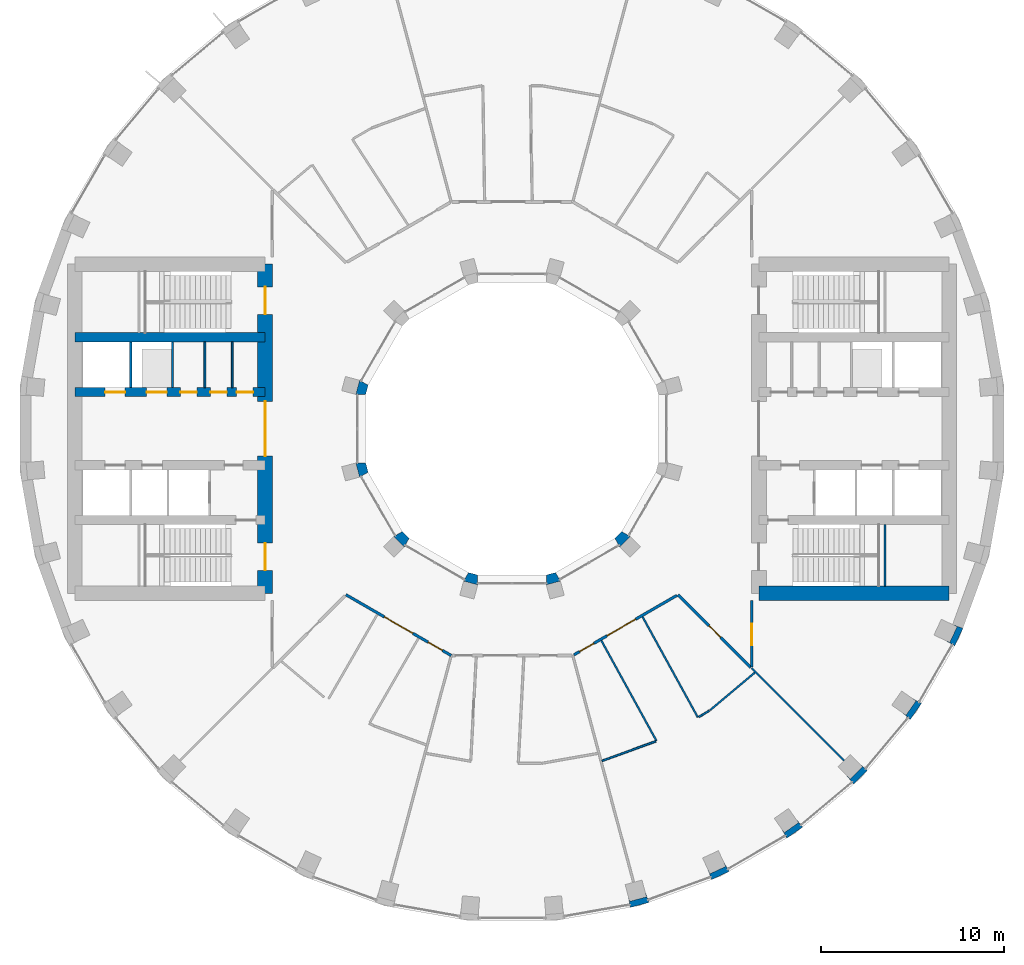
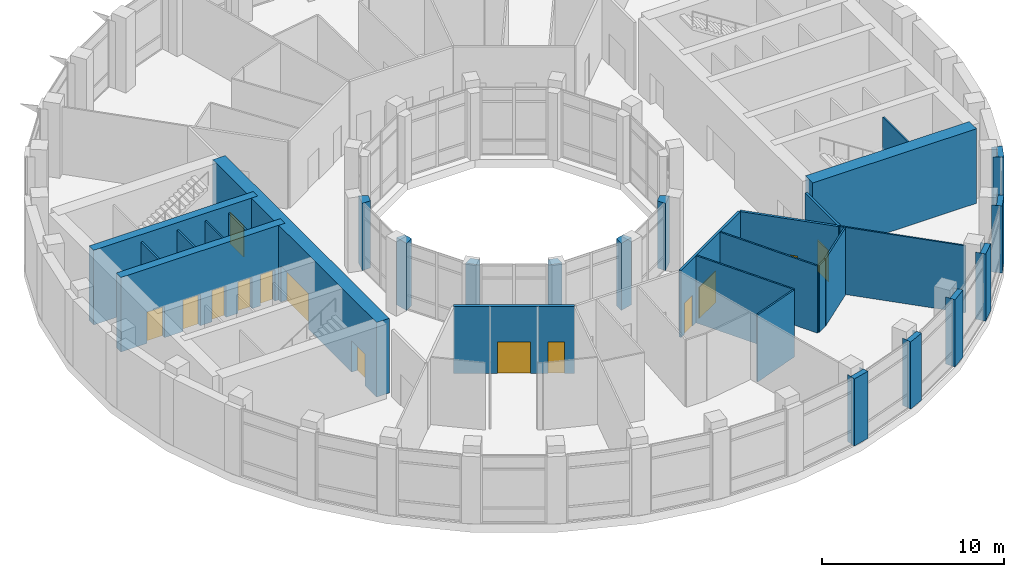
# One storey, part 13 of 18: 31 walls, 14 doors, 14 openings.
"""IFC4 building model written with IfcOpenShell, lengths in metres."""

from ifc_helpers import new_model, si_unit, direction, frame, frame_2d, origin, place, context, subcontext, project, spatial, polyline, rectangle, outline, extrude, material, layer, layer_set, type_object, element, fill, save


model = new_model("IFC4")

# Units and contexts
model_context = context("Model", 3, precision=1e-05, world=origin(), true_north=direction((0.0, 1.0)))
body_context = subcontext(model_context, "Body", "Model", "MODEL_VIEW")
ifc_project = project(units=[si_unit("LENGTHUNIT", "METRE"), si_unit("AREAUNIT", "SQUARE_METRE"), si_unit("VOLUMEUNIT", "CUBIC_METRE"), si_unit("PLANEANGLEUNIT", "RADIAN"), si_unit("MASSUNIT", "GRAM", prefix="KILO")], contexts=[model_context])

# Site, building, storey
site_placement = place(None, origin())
site = spatial("IfcSite", under=ifc_project, at=site_placement, CompositionType="ELEMENT")
building_placement = place(site_placement, origin())
building = spatial("IfcBuilding", under=site, at=building_placement, Name="Saqina Gate Tower", CompositionType="ELEMENT")
storey_placement = place(building_placement, frame((0.0, 0.0, 86.89990234375)))
storey = spatial("IfcBuildingStorey", under=building, at=storey_placement, Name="L24", CompositionType="ELEMENT", Elevation=86.89990234375)

# Walls
ifc_material_1 = material(Name="Brick masonry (buff)", Category="masonry")
wall_type_1 = type_object("IfcWallType", Name="BRICK PIER COPING BUFF", PredefinedType="SOLIDWALL", material=ifc_material_1)
wall_1_placement = place(storey_placement, origin())
element("IfcWall", 1, at=wall_1_placement, inside=storey, type_object=wall_type_1, Name="Pier cap L24 column 29", PredefinedType="SOLIDWALL", context=body_context, shape_type="SweptSolid", body=[
    extrude(outline(polyline([(6.466796875, -26.171875), (7.485595703125, -25.89892578125), (7.2802734375, -25.335205078125), (7.349853515625, -25.5947265625), (6.43212890625, -25.8408203125), (6.36279296875, -25.5810546875), (6.466796875, -26.171875)])), origin(), (0.0, 0.0, 1.0), 4.5),
])
wall_2_placement = place(storey_placement, origin())
element("IfcWall", 2, at=wall_2_placement, inside=storey, type_object=wall_type_1, Name="Pier cap L24 column 30", PredefinedType="SOLIDWALL", context=body_context, shape_type="SweptSolid", body=[
    extrude(outline(polyline([(10.913330078125, -24.6513671875), (11.869140625, -24.205810546875), (11.569091796875, -23.68603515625), (11.6826171875, -23.9296875), (10.82177734375, -24.331298828125), (10.7080078125, -24.08740234375), (10.913330078125, -24.6513671875)])), origin(), (0.0, 0.0, 1.0), 4.5),
])
wall_3_placement = place(storey_placement, origin())
element("IfcWall", 3, at=wall_3_placement, inside=storey, type_object=wall_type_1, Name="Pier cap L24 column 31", PredefinedType="SOLIDWALL", context=body_context, shape_type="SweptSolid", body=[
    extrude(outline(polyline([(15.89208984375, -21.77685546875), (15.50634765625, -21.317138671875), (15.66064453125, -21.53759765625), (14.88232421875, -22.08251953125), (14.728271484375, -21.862060546875), (15.0283203125, -22.3818359375), (15.89208984375, -21.77685546875)])), origin(), (0.0, 0.0, 1.0), 4.5),
])
wall_4_placement = place(storey_placement, origin())
element("IfcWall", 4, at=wall_4_placement, inside=storey, type_object=wall_type_1, Name="Pier cap L24 column 32", PredefinedType="SOLIDWALL", context=body_context, shape_type="SweptSolid", body=[
    extrude(outline(polyline([(18.686279296875, -19.43212890625), (19.43212890625, -18.686279296875), (18.972412109375, -18.30078125), (19.16259765625, -18.49072265625), (18.49072265625, -19.16259765625), (18.30078125, -18.972412109375), (18.686279296875, -19.43212890625)])), origin(), (0.0, 0.0, 1.0), 4.5),
])
wall_5_placement = place(storey_placement, origin())
element("IfcWall", 5, at=wall_5_placement, inside=storey, type_object=wall_type_1, Name="Pier cap L24 column 33", PredefinedType="SOLIDWALL", context=body_context, shape_type="SweptSolid", body=[
    extrude(outline(polyline([(22.3818359375, -15.0283203125), (21.862060546875, -14.728271484375), (22.08251953125, -14.88232421875), (21.53759765625, -15.66064453125), (21.317138671875, -15.50634765625), (21.77685546875, -15.89208984375), (22.3818359375, -15.0283203125)])), origin(), (0.0, 0.0, 1.0), 4.5),
])
wall_6_placement = place(storey_placement, origin())
element("IfcWall", 6, at=wall_6_placement, inside=storey, type_object=wall_type_1, Name="Pier cap L24 column 34", PredefinedType="SOLIDWALL", context=body_context, shape_type="SweptSolid", body=[
    extrude(outline(polyline([(24.6513671875, -10.913330078125), (24.08740234375, -10.7080078125), (24.331298828125, -10.82177734375), (23.9296875, -11.6826171875), (23.68603515625, -11.569091796875), (24.205810546875, -11.869140625), (24.6513671875, -10.913330078125)])), origin(), (0.0, 0.0, 1.0), 4.5),
])
ifc_material_2 = material(Name="Gypsum board on steel studs", Category="steel")
ifc_layer_1 = layer(ifc_material_2, 0.10009765625)
ifc_layer_set_1 = layer_set([ifc_layer_1], Name="CORE PARTITION")
wall_type_2 = type_object("IfcWallType", Name="CORE PARTITION", PredefinedType="PARTITIONING", material=ifc_layer_set_1)
for number, where, z_axis, x_axis, name in (
    (7, (-15.298095703125, 2.25, 0.0), (0.0, 0.0, 1.0), (0.0, 1.0, 0.0), "L24-CP-W01"),
    (8, (-16.789306640625, 2.25, 0.0), (0.0, 0.0, 1.0), (0.0, 1.0, 0.0), "L24-CP-W02"),
):
    element("IfcWall", number, at=place(storey_placement, frame(where, z_axis=z_axis, x_axis=x_axis)), inside=storey, type_object=wall_type_2, Name=name, PredefinedType="PARTITIONING", context=body_context, shape_type="SweptSolid", body=[
        extrude(rectangle(XDim=2.5, YDim=0.10009765625, at=frame_2d((1.25, 0.0))), origin(), (0.0, 0.0, 1.0), 4.5),
    ])
ifc_material_3 = material(Name="Autoclaved aerated concrete block", Category="concrete")
ifc_layer_2 = layer(ifc_material_3, 0.1201171875)
ifc_layer_set_2 = layer_set([ifc_layer_2], Name="SHAFT PARTITION")
wall_type_3 = type_object("IfcWallType", Name="SHAFT PARTITION", PredefinedType="PARTITIONING", material=ifc_layer_set_2)
for number, where, z_axis, x_axis, name in (
    (9, (-18.56005859375, 2.25, 0.0), (0.0, 0.0, 1.0), (0.0, 1.0, 0.0), "L24-CP-W03"),
    (10, (-20.840087890625, 2.25, 0.0), (0.0, 0.0, 1.0), (0.0, 1.0, 0.0), "L24-CP-W04"),
):
    element("IfcWall", number, at=place(storey_placement, frame(where, z_axis=z_axis, x_axis=x_axis)), inside=storey, type_object=wall_type_3, Name=name, PredefinedType="PARTITIONING", context=body_context, shape_type="SweptSolid", body=[
        extrude(rectangle(XDim=2.5, YDim=0.1201171875, at=frame_2d((1.25, 0.0))), origin(), (0.0, 0.0, 1.0), 4.5),
    ])
ifc_material_4 = material(Name="Gypsum board on steel studs, 100 mm", Category="steel")
ifc_layer_3 = layer(ifc_material_4, 0.10009765625)
ifc_layer_set_3 = layer_set([ifc_layer_3], Name="SPECIAL PARTITION 100")
wall_type_4 = type_object("IfcWallType", Name="SPECIAL PARTITION 100", PredefinedType="PARTITIONING", material=ifc_layer_set_3)
wall_7_placement = place(storey_placement, frame((4.885009765625, -11.584716796875, 0.0), z_axis=(0.0, 0.0, 1.0), x_axis=(0.481793071414, -0.876285020035, 0.0)))
element("IfcWall", 11, at=wall_7_placement, inside=storey, type_object=wall_type_4, Name="PARTITION 005", PredefinedType="PARTITIONING", context=body_context, shape_type="SweptSolid", body=[
    extrude(rectangle(XDim=6.26416015625, YDim=0.10009765625, at=frame_2d((3.132080078125, 0.0))), origin(), (0.0, 0.0, 1.0), 4.5),
])
wall_8_placement = place(storey_placement, frame((7.13720703125, -10.28369140625, 0.0), z_axis=(0.0, 0.0, 1.0), x_axis=(0.481752941383, -0.876307082859, 0.0)))
element("IfcWall", 12, at=wall_8_placement, inside=storey, type_object=wall_type_4, Name="PARTITION 006", PredefinedType="PARTITIONING", context=body_context, shape_type="SweptSolid", body=[
    extrude(rectangle(XDim=6.2744140625, YDim=0.10009765625, at=frame_2d((3.13720703125, 0.0))), origin(), (0.0, 0.0, 1.0), 4.5),
])
wall_9_placement = place(storey_placement, frame((13.10009765625, -13.10009765625, 0.0), z_axis=(0.0, 0.0, 1.0), x_axis=(0.707106781187, -0.707106781187, 0.0)))
element("IfcWall", 13, at=wall_9_placement, inside=storey, type_object=wall_type_4, Name="PARTITION 010", PredefinedType="PARTITIONING", context=body_context, shape_type="SweptSolid", body=[
    extrude(rectangle(XDim=7.138671875, YDim=0.10009765625, at=frame_2d((3.5693359375, 0.0))), origin(), (0.0, 0.0, 1.0), 4.5),
])
wall_10_placement = place(storey_placement, frame((4.91796875, -18.160888671875, 0.0), z_axis=(0.0, 0.0, 1.0), x_axis=(0.93964286716, 0.342156809365, 0.0)))
element("IfcWall", 14, at=wall_10_placement, inside=storey, type_object=wall_type_4, Name="PARTITION 029", PredefinedType="PARTITIONING", context=body_context, shape_type="SweptSolid", body=[
    extrude(rectangle(XDim=3.126708984375, YDim=0.10009765625, at=frame_2d((1.5634765625, 0.0))), origin(), (0.0, 0.0, 1.0), 4.5),
])
wall_11_placement = place(storey_placement, frame((10.203369140625, -15.757080078125, 0.0), z_axis=(0.0, 0.0, 1.0), x_axis=(0.865964989499, 0.500104626015, 0.0)))
element("IfcWall", 15, at=wall_11_placement, inside=storey, type_object=wall_type_4, Name="PARTITION 031", PredefinedType="PARTITIONING", context=body_context, shape_type="SweptSolid", body=[
    extrude(rectangle(XDim=0.681884765625, YDim=0.10009765625, at=frame_2d((0.3408203125, 0.0))), origin(), (0.0, 0.0, 1.0), 4.5),
])
wall_12_placement = place(storey_placement, frame((10.832275390625, -15.3837890625, 0.0), z_axis=(0.0, 0.0, 1.0), x_axis=(0.766014747924, 0.642822997381, 0.0)))
element("IfcWall", 16, at=wall_12_placement, inside=storey, type_object=wall_type_4, Name="PARTITION 035", PredefinedType="PARTITIONING", context=body_context, shape_type="SweptSolid", body=[
    extrude(rectangle(XDim=3.1806640625, YDim=0.10009765625, at=frame_2d((1.59033203125, 0.0))), origin(), (0.0, 0.0, 1.0), 4.5),
])

# Wall, opening, door
ifc_material_5 = material(Name="Gypsum board on steel studs, 150 mm, fire rated", Category="steel")
ifc_layer_4 = layer(ifc_material_5, 0.14990234375)
ifc_layer_set_4 = layer_set([ifc_layer_4], Name="SPECIAL PARTITION EI 30 150")
wall_type_5 = type_object("IfcWallType", Name="SPECIAL PARTITION EI 30 150", PredefinedType="PARTITIONING", material=ifc_layer_set_4)
wall_13_placement = place(storey_placement, frame((9.076904296875, -9.076904296875, 0.0), z_axis=(0.0, 0.0, 1.0), x_axis=(0.707106781187, -0.707106781187, 0.0)))
wall_13 = element("IfcWall", 17, at=wall_13_placement, inside=storey, type_object=wall_type_5, Name="PARTITION 012", PredefinedType="PARTITIONING", context=body_context, shape_type="SweptSolid", body=[
    extrude(rectangle(XDim=5.61962890625, YDim=0.14990234375, at=frame_2d((2.809814453125, 0.0))), origin(), (0.0, 0.0, 1.0), 4.5),
])
opening_1_placement = place(wall_13_placement, frame((2.396484375, 0.0, 0.0)))
opening_1 = element("IfcOpeningElement", 18, at=opening_1_placement, cuts=wall_13, Name="Opening L24-D23", PredefinedType="OPENING", context=body_context, shape_type="SweptSolid", body=[
    extrude(rectangle(XDim=0.89990234375, YDim=2.10009765625, at=frame_2d((0.449951171875, 1.050048828125))), frame((0.0, 0.0869140625, 0.0), z_axis=(0.0, -1.0, 0.0), x_axis=(1.0, 0.0, 0.0)), (0.0, 0.0, 1.0), 0.173828125),
])
ifc_material_6 = material(Name="Steel-framed fire door leaf, EI 30", Category="steel")
door_type_1 = type_object("IfcDoorType", Name="SPECIAL DOOR 900 FIRE EI 30", OperationType="SINGLE_SWING_LEFT", PredefinedType="DOOR", material=ifc_material_6)
door_1_placement = place(opening_1_placement, frame((0.89990234375, 0.0, 0.0), z_axis=(0.0, 0.0, 1.0), x_axis=(-1.0, 0.0, 0.0)))
door_1 = element("IfcDoor", 19, at=door_1_placement, inside=storey, type_object=door_type_1, Name="DOOR L24-D23", OperationType="SINGLE_SWING_LEFT", OverallHeight=2.10009765625, OverallWidth=0.89990234375, PredefinedType="DOOR", context=body_context, shape_type="SweptSolid", body=[
    extrude(rectangle(XDim=0.89990234375, YDim=2.10009765625, at=frame_2d((0.449951171875, 1.050048828125))), frame((0.0, 0.02490234375, 0.0), z_axis=(0.0, -1.0, 0.0), x_axis=(1.0, 0.0, 0.0)), (0.0, 0.0, 1.0), 0.050048828125),
])
fill(opening_1, door_1)

# Wall, openings, doors
wall_14_placement = place(storey_placement, frame((-9.076904296875, -9.076904296875, 0.0), z_axis=(0.0, 0.0, 1.0), x_axis=(0.865961614908, -0.500110469302, 0.0)))
wall_14 = element("IfcWall", 20, at=wall_14_placement, inside=storey, type_object=wall_type_5, Name="PARTITION 016", PredefinedType="PARTITIONING", context=body_context, shape_type="SweptSolid", body=[
    extrude(rectangle(XDim=6.64453125, YDim=0.14990234375, at=frame_2d((3.322265625, 0.0))), origin(), (0.0, 0.0, 1.0), 4.5),
])
opening_2_placement = place(wall_14_placement, frame((2.42236328125, 0.0, 0.0)))
opening_2 = element("IfcOpeningElement", 21, at=opening_2_placement, cuts=wall_14, Name="Opening L24-D15", PredefinedType="OPENING", context=body_context, shape_type="SweptSolid", body=[
    extrude(rectangle(XDim=1.800048828125, YDim=2.10009765625, at=frame_2d((0.89990234375, 1.050048828125))), frame((0.0, 0.0869140625, 0.0), z_axis=(0.0, -1.0, 0.0), x_axis=(1.0, 0.0, 0.0)), (0.0, 0.0, 1.0), 0.173828125),
])
opening_3_placement = place(wall_14_placement, frame((5.18359375, 0.0, 0.0)))
opening_3 = element("IfcOpeningElement", 22, at=opening_3_placement, cuts=wall_14, Name="Opening L24-D16", PredefinedType="OPENING", context=body_context, shape_type="SweptSolid", body=[
    extrude(rectangle(XDim=0.89990234375, YDim=2.10009765625, at=frame_2d((0.449951171875, 1.050048828125))), frame((0.0, 0.0869140625, 0.0), z_axis=(0.0, -1.0, 0.0), x_axis=(1.0, 0.0, 0.0)), (0.0, 0.0, 1.0), 0.173828125),
])
door_2_placement = place(opening_3_placement, frame((0.89990234375, 0.0, 0.0), z_axis=(0.0, 0.0, 1.0), x_axis=(-1.0, 0.0, 0.0)))
door_2 = element("IfcDoor", 23, at=door_2_placement, inside=storey, type_object=door_type_1, Name="DOOR L24-D16", OperationType="SINGLE_SWING_RIGHT", OverallHeight=2.10009765625, OverallWidth=0.89990234375, PredefinedType="DOOR", context=body_context, shape_type="SweptSolid", body=[
    extrude(rectangle(XDim=0.89990234375, YDim=2.10009765625, at=frame_2d((0.449951171875, 1.050048828125))), frame((0.0, 0.02490234375, 0.0), z_axis=(0.0, -1.0, 0.0), x_axis=(1.0, 0.0, 0.0)), (0.0, 0.0, 1.0), 0.050048828125),
])
fill(opening_3, door_2)
ifc_material_7 = material(Name="Steel-framed fire door leaf, EI 30", Category="steel")
door_type_2 = type_object("IfcDoorType", Name="SPECIAL DOUBLE DOOR 1800 FIRE EI 30", OperationType="DOUBLE_DOOR_SINGLE_SWING", PredefinedType="DOOR", material=ifc_material_7)
door_3_placement = place(opening_2_placement, origin())
door_3 = element("IfcDoor", 24, at=door_3_placement, inside=storey, type_object=door_type_2, Name="DOOR L24-D15", OperationType="DOUBLE_DOOR_SINGLE_SWING", OverallHeight=2.10009765625, OverallWidth=1.800048828125, PredefinedType="DOOR", context=body_context, shape_type="SweptSolid", body=[
    extrude(rectangle(XDim=1.800048828125, YDim=2.10009765625, at=frame_2d((0.89990234375, 1.050048828125))), frame((0.0, 0.02490234375, 0.0), z_axis=(0.0, -1.0, 0.0), x_axis=(1.0, 0.0, 0.0)), (0.0, 0.0, 1.0), 0.050048828125),
])
fill(opening_2, door_3)

wall_15_placement = place(storey_placement, frame((3.387939453125, -12.362548828125, 0.0), z_axis=(0.0, 0.0, 1.0), x_axis=(0.865967095912, 0.5001009786, 0.0)))
wall_15 = element("IfcWall", 25, at=wall_15_placement, inside=storey, type_object=wall_type_5, Name="PARTITION 032", PredefinedType="PARTITIONING", context=body_context, shape_type="SweptSolid", body=[
    extrude(rectangle(XDim=6.494873046875, YDim=0.14990234375, at=frame_2d((3.24755859375, 0.0))), origin(), (0.0, 0.0, 1.0), 4.5),
])
opening_4_placement = place(wall_15_placement, frame((0.35595703125, 0.0, 0.0)))
opening_4 = element("IfcOpeningElement", 26, at=opening_4_placement, cuts=wall_15, Name="Opening L24-D21", PredefinedType="OPENING", context=body_context, shape_type="SweptSolid", body=[
    extrude(rectangle(XDim=0.89990234375, YDim=2.10009765625, at=frame_2d((0.449951171875, 1.050048828125))), frame((0.0, 0.0869140625, 0.0), z_axis=(0.0, -1.0, 0.0), x_axis=(1.0, 0.0, 0.0)), (0.0, 0.0, 1.0), 0.173828125),
])
opening_5_placement = place(wall_15_placement, frame((2.08740234375, 0.0, 0.0)))
opening_5 = element("IfcOpeningElement", 27, at=opening_5_placement, cuts=wall_15, Name="Opening L24-D22", PredefinedType="OPENING", context=body_context, shape_type="SweptSolid", body=[
    extrude(rectangle(XDim=1.800048828125, YDim=2.10009765625, at=frame_2d((0.89990234375, 1.050048828125))), frame((0.0, 0.0869140625, 0.0), z_axis=(0.0, -1.0, 0.0), x_axis=(1.0, 0.0, 0.0)), (0.0, 0.0, 1.0), 0.173828125),
])
door_4_placement = place(opening_4_placement, frame((0.89990234375, 0.0, 0.0), z_axis=(0.0, 0.0, 1.0), x_axis=(-1.0, 0.0, 0.0)))
door_4 = element("IfcDoor", 28, at=door_4_placement, inside=storey, type_object=door_type_1, Name="DOOR L24-D21", OperationType="SINGLE_SWING_LEFT", OverallHeight=2.10009765625, OverallWidth=0.89990234375, PredefinedType="DOOR", context=body_context, shape_type="SweptSolid", body=[
    extrude(rectangle(XDim=0.89990234375, YDim=2.10009765625, at=frame_2d((0.449951171875, 1.050048828125))), frame((0.0, 0.02490234375, 0.0), z_axis=(0.0, -1.0, 0.0), x_axis=(1.0, 0.0, 0.0)), (0.0, 0.0, 1.0), 0.050048828125),
])
fill(opening_4, door_4)
door_5_placement = place(opening_5_placement, origin())
door_5 = element("IfcDoor", 29, at=door_5_placement, inside=storey, type_object=door_type_2, Name="DOOR L24-D22", OperationType="DOUBLE_DOOR_SINGLE_SWING", OverallHeight=2.10009765625, OverallWidth=1.800048828125, PredefinedType="DOOR", context=body_context, shape_type="SweptSolid", body=[
    extrude(rectangle(XDim=1.800048828125, YDim=2.10009765625, at=frame_2d((0.89990234375, 1.050048828125))), frame((0.0, 0.02490234375, 0.0), z_axis=(0.0, -1.0, 0.0), x_axis=(1.0, 0.0, 0.0)), (0.0, 0.0, 1.0), 0.050048828125),
])
fill(opening_5, door_5)

# Wall, opening, door
wall_16_placement = place(storey_placement, frame((13.10009765625, -13.02490234375, 0.0), z_axis=(0.0, 0.0, 1.0), x_axis=(0.0, 1.0, 0.0)))
wall_16 = element("IfcWall", 30, at=wall_16_placement, inside=storey, type_object=wall_type_5, Name="PARTITION 049", PredefinedType="PARTITIONING", context=body_context, shape_type="SweptSolid", body=[
    extrude(rectangle(XDim=3.625, YDim=0.14990234375, at=frame_2d((1.8125, 0.0))), origin(), (0.0, 0.0, 1.0), 4.5),
])
opening_6_placement = place(wall_16_placement, frame((1.175048828125, 0.0, 0.0)))
opening_6 = element("IfcOpeningElement", 31, at=opening_6_placement, cuts=wall_16, Name="Opening L24-D24", PredefinedType="OPENING", context=body_context, shape_type="SweptSolid", body=[
    extrude(rectangle(XDim=1.199951171875, YDim=2.10009765625, at=frame_2d((0.60009765625, 1.050048828125))), frame((0.0, 0.0869140625, 0.0), z_axis=(0.0, -1.0, 0.0), x_axis=(1.0, 0.0, 0.0)), (0.0, 0.0, 1.0), 0.173828125),
])
ifc_material_8 = material(Name="Steel-framed fire door leaf, EI 30", Category="steel")
door_type_3 = type_object("IfcDoorType", Name="SPECIAL DOOR 1200 FIRE EI 30", OperationType="SINGLE_SWING_LEFT", PredefinedType="DOOR", material=ifc_material_8)
door_6_placement = place(opening_6_placement, frame((1.199951171875, 0.0, 0.0), z_axis=(0.0, 0.0, 1.0), x_axis=(-1.0, 0.0, 0.0)))
door_6 = element("IfcDoor", 32, at=door_6_placement, inside=storey, type_object=door_type_3, Name="DOOR L24-D24", OperationType="SINGLE_SWING_RIGHT", OverallHeight=2.10009765625, OverallWidth=1.199951171875, PredefinedType="DOOR", context=body_context, shape_type="SweptSolid", body=[
    extrude(rectangle(XDim=1.199951171875, YDim=2.10009765625, at=frame_2d((0.60009765625, 1.050048828125))), frame((0.0, 0.02490234375, 0.0), z_axis=(0.0, -1.0, 0.0), x_axis=(1.0, 0.0, 0.0)), (0.0, 0.0, 1.0), 0.050048828125),
])
fill(opening_6, door_6)

# Walls
ifc_material_9 = material(Name="Autoclaved aerated concrete block", Category="concrete")
ifc_layer_5 = layer(ifc_material_9, 0.10009765625)
ifc_layer_set_5 = layer_set([ifc_layer_5], Name="STAIR ENCLOSURE WALL")
wall_type_6 = type_object("IfcWallType", Name="STAIR ENCLOSURE WALL", PredefinedType="PARTITIONING", material=ifc_layer_set_5)
wall_17_placement = place(storey_placement, frame((20.389892578125, -8.60009765625, 0.0), z_axis=(0.0, 0.0, 1.0), x_axis=(0.0, 1.0, 0.0)))
element("IfcWall", 33, at=wall_17_placement, inside=storey, type_object=wall_type_6, Name="L24-CP-E09", PredefinedType="PARTITIONING", context=body_context, shape_type="SweptSolid", body=[
    extrude(rectangle(XDim=3.35009765625, YDim=0.10009765625, at=frame_2d((1.675048828125, 0.0))), origin(), (0.0, 0.0, 1.0), 4.5),
])
ifc_material_10 = material(Name="Concrete C70/85", Category="concrete")
ifc_layer_6 = layer(ifc_material_10, 0.5)
ifc_layer_set_6 = layer_set([ifc_layer_6], Name="Concrete C70/85")
wall_type_7 = type_object("IfcWallType", Name="STR-CORE WALL-B-I", PredefinedType="SHEAR", material=ifc_layer_set_6)
wall_18_placement = place(storey_placement, frame((-13.5, 5.0, 0.0), z_axis=(0.0, 0.0, 1.0), x_axis=(-1.0, 0.0, 0.0)))
element("IfcWall", 34, at=wall_18_placement, inside=storey, type_object=wall_type_7, Name="CORE WALL L24 W-X1", PredefinedType="SHEAR", context=body_context, shape_type="SweptSolid", body=[
    extrude(rectangle(XDim=10.39990234375, YDim=0.5, at=frame_2d((5.199951171875, 0.0))), origin(), (0.0, 0.0, 1.0), 5.0),
])

# Wall, openings, doors
wall_19_placement = place(storey_placement, frame((-13.5, 2.0, 0.0), z_axis=(0.0, 0.0, 1.0), x_axis=(-1.0, 0.0, 0.0)))
wall_19 = element("IfcWall", 35, at=wall_19_placement, inside=storey, type_object=wall_type_7, Name="CORE WALL L24 W-L1", PredefinedType="SHEAR", context=body_context, shape_type="SweptSolid", body=[
    extrude(rectangle(XDim=10.39990234375, YDim=0.5, at=frame_2d((5.199951171875, 0.0))), origin(), (0.0, 0.0, 1.0), 5.0),
])
opening_7_placement = place(wall_19_placement, frame((5.3701171875, 0.0, 0.0)))
opening_7 = element("IfcOpeningElement", 36, at=opening_7_placement, cuts=wall_19, Name="Opening L24-LD6", PredefinedType="OPENING", context=body_context, shape_type="SweptSolid", body=[
    extrude(rectangle(XDim=1.10009765625, YDim=2.10009765625, at=frame_2d((0.550048828125, 1.050048828125))), frame((0.0, 0.261962890625, 0.0), z_axis=(0.0, -1.0, 0.0), x_axis=(1.0, 0.0, 0.0)), (0.0, 0.0, 1.0), 0.52392578125),
])
opening_8_placement = place(wall_19_placement, frame((7.64990234375, 0.0, 0.0)))
opening_8 = element("IfcOpeningElement", 37, at=opening_8_placement, cuts=wall_19, Name="Opening L24-LD7", PredefinedType="OPENING", context=body_context, shape_type="SweptSolid", body=[
    extrude(rectangle(XDim=1.10009765625, YDim=2.10009765625, at=frame_2d((0.550048828125, 1.050048828125))), frame((0.0, 0.261962890625, 0.0), z_axis=(0.0, -1.0, 0.0), x_axis=(1.0, 0.0, 0.0)), (0.0, 0.0, 1.0), 0.52392578125),
])
opening_9_placement = place(wall_19_placement, frame((0.64892578125, 0.0, 0.0)))
opening_9 = element("IfcOpeningElement", 38, at=opening_9_placement, cuts=wall_19, Name="Opening L24-D98", PredefinedType="OPENING", context=body_context, shape_type="SweptSolid", body=[
    extrude(rectangle(XDim=0.89990234375, YDim=2.10009765625, at=frame_2d((0.449951171875, 1.050048828125))), frame((0.0, 0.261962890625, 0.0), z_axis=(0.0, -1.0, 0.0), x_axis=(1.0, 0.0, 0.0)), (0.0, 0.0, 1.0), 0.52392578125),
])
opening_10_placement = place(wall_19_placement, frame((2.093505859375, 0.0, 0.0)))
opening_10 = element("IfcOpeningElement", 39, at=opening_10_placement, cuts=wall_19, Name="Opening L24-D99", PredefinedType="OPENING", context=body_context, shape_type="SweptSolid", body=[
    extrude(rectangle(XDim=0.89990234375, YDim=2.10009765625, at=frame_2d((0.449951171875, 1.050048828125))), frame((0.0, 0.261962890625, 0.0), z_axis=(0.0, -1.0, 0.0), x_axis=(1.0, 0.0, 0.0)), (0.0, 0.0, 1.0), 0.52392578125),
])
opening_11_placement = place(wall_19_placement, frame((3.724609375, 0.0, 0.0)))
opening_11 = element("IfcOpeningElement", 40, at=opening_11_placement, cuts=wall_19, Name="Opening L24-D100", PredefinedType="OPENING", context=body_context, shape_type="SweptSolid", body=[
    extrude(rectangle(XDim=0.89990234375, YDim=2.10009765625, at=frame_2d((0.449951171875, 1.050048828125))), frame((0.0, 0.261962890625, 0.0), z_axis=(0.0, -1.0, 0.0), x_axis=(1.0, 0.0, 0.0)), (0.0, 0.0, 1.0), 0.52392578125),
])
ifc_material_11 = material(Name="Stainless steel", Category="steel")
door_type_4 = type_object("IfcDoorType", Name="LANDING DOOR", OperationType="DOUBLE_DOOR_SLIDING", PredefinedType="DOOR", material=ifc_material_11)
door_7_placement = place(opening_7_placement, origin())
door_7 = element("IfcDoor", 41, at=door_7_placement, inside=storey, type_object=door_type_4, Name="LANDING DOOR MR2", OperationType="DOUBLE_DOOR_SLIDING", OverallHeight=2.10009765625, OverallWidth=1.10009765625, PredefinedType="DOOR", context=body_context, shape_type="SweptSolid", body=[
    extrude(rectangle(XDim=1.10009765625, YDim=2.10009765625, at=frame_2d((0.550048828125, 1.050048828125))), frame((0.0, 0.02490234375, 0.0), z_axis=(0.0, -1.0, 0.0), x_axis=(1.0, 0.0, 0.0)), (0.0, 0.0, 1.0), 0.050048828125),
])
fill(opening_7, door_7)
door_8_placement = place(opening_8_placement, origin())
door_8 = element("IfcDoor", 42, at=door_8_placement, inside=storey, type_object=door_type_4, Name="LANDING DOOR LR4", OperationType="DOUBLE_DOOR_SLIDING", OverallHeight=2.10009765625, OverallWidth=1.10009765625, PredefinedType="DOOR", context=body_context, shape_type="SweptSolid", body=[
    extrude(rectangle(XDim=1.10009765625, YDim=2.10009765625, at=frame_2d((0.550048828125, 1.050048828125))), frame((0.0, 0.02490234375, 0.0), z_axis=(0.0, -1.0, 0.0), x_axis=(1.0, 0.0, 0.0)), (0.0, 0.0, 1.0), 0.050048828125),
])
fill(opening_8, door_8)
ifc_material_12 = material(Name="Steel-framed fire door leaf, EI 60", Category="steel")
door_type_5 = type_object("IfcDoorType", Name="SERVICE ROOM DOOR 900", OperationType="SINGLE_SWING_LEFT", PredefinedType="DOOR", material=ifc_material_12)
door_9_placement = place(opening_9_placement, frame((0.89990234375, 0.0, 0.0), z_axis=(0.0, 0.0, 1.0), x_axis=(-1.0, 0.0, 0.0)))
door_9 = element("IfcDoor", 43, at=door_9_placement, inside=storey, type_object=door_type_5, Name="L24-CD-W09", OperationType="SINGLE_SWING_RIGHT", OverallHeight=2.10009765625, OverallWidth=0.89990234375, PredefinedType="DOOR", context=body_context, shape_type="SweptSolid", body=[
    extrude(rectangle(XDim=0.89990234375, YDim=2.10009765625, at=frame_2d((0.449951171875, 1.050048828125))), frame((0.0, 0.02490234375, 0.0), z_axis=(0.0, -1.0, 0.0), x_axis=(1.0, 0.0, 0.0)), (0.0, 0.0, 1.0), 0.050048828125),
])
fill(opening_9, door_9)
door_10_placement = place(opening_10_placement, frame((0.89990234375, 0.0, 0.0), z_axis=(0.0, 0.0, 1.0), x_axis=(-1.0, 0.0, 0.0)))
door_10 = element("IfcDoor", 44, at=door_10_placement, inside=storey, type_object=door_type_5, Name="L24-CD-W10", OperationType="SINGLE_SWING_RIGHT", OverallHeight=2.10009765625, OverallWidth=0.89990234375, PredefinedType="DOOR", context=body_context, shape_type="SweptSolid", body=[
    extrude(rectangle(XDim=0.89990234375, YDim=2.10009765625, at=frame_2d((0.449951171875, 1.050048828125))), frame((0.0, 0.02490234375, 0.0), z_axis=(0.0, -1.0, 0.0), x_axis=(1.0, 0.0, 0.0)), (0.0, 0.0, 1.0), 0.050048828125),
])
fill(opening_10, door_10)
door_11_placement = place(opening_11_placement, frame((0.89990234375, 0.0, 0.0), z_axis=(0.0, 0.0, 1.0), x_axis=(-1.0, 0.0, 0.0)))
door_11 = element("IfcDoor", 45, at=door_11_placement, inside=storey, type_object=door_type_5, Name="L24-CD-W11", OperationType="SINGLE_SWING_LEFT", OverallHeight=2.10009765625, OverallWidth=0.89990234375, PredefinedType="DOOR", context=body_context, shape_type="SweptSolid", body=[
    extrude(rectangle(XDim=0.89990234375, YDim=2.10009765625, at=frame_2d((0.449951171875, 1.050048828125))), frame((0.0, 0.02490234375, 0.0), z_axis=(0.0, -1.0, 0.0), x_axis=(1.0, 0.0, 0.0)), (0.0, 0.0, 1.0), 0.050048828125),
])
fill(opening_11, door_11)

# Wall
ifc_material_13 = material(Name="Concrete C70/85", Category="concrete")
ifc_layer_7 = layer(ifc_material_13, 0.800048828125)
ifc_layer_set_7 = layer_set([ifc_layer_7], Name="Concrete C70/85")
wall_type_8 = type_object("IfcWallType", Name="STR-CORE WALL-B-O", PredefinedType="SHEAR", material=ifc_layer_set_7)
wall_20_placement = place(storey_placement, frame((13.5, -9.0, 0.0), z_axis=(0.0, 0.0, 1.0), x_axis=(1.0, 0.0, 0.0)))
element("IfcWall", 46, at=wall_20_placement, inside=storey, type_object=wall_type_8, Name="CORE WALL L24 E-SE", PredefinedType="SHEAR", context=body_context, shape_type="SweptSolid", body=[
    extrude(rectangle(XDim=10.39990234375, YDim=0.800048828125, at=frame_2d((5.199951171875, 0.0))), origin(), (0.0, 0.0, 1.0), 5.0),
])

# Wall, openings, doors
wall_21_placement = place(storey_placement, frame((-13.5, -9.0, 0.0), z_axis=(0.0, 0.0, 1.0), x_axis=(0.0, 1.0, 0.0)))
wall_21 = element("IfcWall", 47, at=wall_21_placement, inside=storey, type_object=wall_type_8, Name="CORE WALL L24 W-W1", PredefinedType="SHEAR", context=body_context, shape_type="SweptSolid", body=[
    extrude(rectangle(XDim=18.0, YDim=0.800048828125, at=frame_2d((9.0, 0.0))), origin(), (0.0, 0.0, 1.0), 5.0),
])
opening_12_placement = place(wall_21_placement, frame((15.25, 0.0, 0.0)))
opening_12 = element("IfcOpeningElement", 48, at=opening_12_placement, cuts=wall_21, Name="Opening L24-D103", PredefinedType="OPENING", context=body_context, shape_type="SweptSolid", body=[
    extrude(rectangle(XDim=1.5, YDim=2.10009765625, at=frame_2d((0.75, 1.050048828125))), frame((0.0, 0.412109375, 0.0), z_axis=(0.0, -1.0, 0.0), x_axis=(1.0, 0.0, 0.0)), (0.0, 0.0, 1.0), 0.823974609375),
])
opening_13_placement = place(wall_21_placement, frame((1.25, 0.0, 0.0)))
opening_13 = element("IfcOpeningElement", 49, at=opening_13_placement, cuts=wall_21, Name="Opening L24-D104", PredefinedType="OPENING", context=body_context, shape_type="SweptSolid", body=[
    extrude(rectangle(XDim=1.5, YDim=2.10009765625, at=frame_2d((0.75, 1.050048828125))), frame((0.0, 0.412109375, 0.0), z_axis=(0.0, -1.0, 0.0), x_axis=(1.0, 0.0, 0.0)), (0.0, 0.0, 1.0), 0.823974609375),
])
opening_14_placement = place(wall_21_placement, frame((7.5, 0.0, 0.0)))
opening_14 = element("IfcOpeningElement", 50, at=opening_14_placement, cuts=wall_21, Name="Opening L24-D105", PredefinedType="OPENING", context=body_context, shape_type="SweptSolid", body=[
    extrude(rectangle(XDim=3.0, YDim=2.39990234375, at=frame_2d((1.5, 1.199951171875))), frame((0.0, 0.412109375, 0.0), z_axis=(0.0, -1.0, 0.0), x_axis=(1.0, 0.0, 0.0)), (0.0, 0.0, 1.0), 0.823974609375),
])
ifc_material_14 = material(Name="Steel", Category="steel")
door_type_6 = type_object("IfcDoorType", Name="FIRE DOOR EI 60 1500", OperationType="DOUBLE_DOOR_SINGLE_SWING", PredefinedType="DOOR", material=ifc_material_14)
door_12_placement = place(opening_12_placement, origin())
door_12 = element("IfcDoor", 51, at=door_12_placement, inside=storey, type_object=door_type_6, Name="L24-CD-W14", OperationType="DOUBLE_DOOR_SINGLE_SWING", OverallHeight=2.10009765625, OverallWidth=1.5, PredefinedType="DOOR", context=body_context, shape_type="SweptSolid", body=[
    extrude(rectangle(XDim=1.5, YDim=2.10009765625, at=frame_2d((0.75, 1.050048828125))), frame((0.0, 0.02490234375, 0.0), z_axis=(0.0, -1.0, 0.0), x_axis=(1.0, 0.0, 0.0)), (0.0, 0.0, 1.0), 0.050048828125),
])
fill(opening_12, door_12)
door_13_placement = place(opening_13_placement, origin())
door_13 = element("IfcDoor", 52, at=door_13_placement, inside=storey, type_object=door_type_6, Name="L24-CD-W15", OperationType="DOUBLE_DOOR_SINGLE_SWING", OverallHeight=2.10009765625, OverallWidth=1.5, PredefinedType="DOOR", context=body_context, shape_type="SweptSolid", body=[
    extrude(rectangle(XDim=1.5, YDim=2.10009765625, at=frame_2d((0.75, 1.050048828125))), frame((0.0, 0.02490234375, 0.0), z_axis=(0.0, -1.0, 0.0), x_axis=(1.0, 0.0, 0.0)), (0.0, 0.0, 1.0), 0.050048828125),
])
fill(opening_13, door_13)
ifc_material_15 = material(Name="Steel and fire-resisting glass", Category="steel")
door_type_7 = type_object("IfcDoorType", Name="LOBBY SCREEN DOOR", OperationType="DOUBLE_DOOR_SLIDING", PredefinedType="DOOR", material=ifc_material_15)
door_14_placement = place(opening_14_placement, origin())
door_14 = element("IfcDoor", 53, at=door_14_placement, inside=storey, type_object=door_type_7, Name="L24-CD-W16", OperationType="DOUBLE_DOOR_SLIDING", OverallHeight=2.39990234375, OverallWidth=3.0, PredefinedType="DOOR", context=body_context, shape_type="SweptSolid", body=[
    extrude(rectangle(XDim=3.0, YDim=2.39990234375, at=frame_2d((1.5, 1.199951171875))), frame((0.0, 0.02490234375, 0.0), z_axis=(0.0, -1.0, 0.0), x_axis=(1.0, 0.0, 0.0)), (0.0, 0.0, 1.0), 0.050048828125),
])
fill(opening_14, door_14)

# Walls
ifc_material_16 = material(Name="Glazed ceramic tile", Category="ceramic")
wall_type_9 = type_object("IfcWallType", Name="TILE PIER COPING", PredefinedType="SOLIDWALL", material=ifc_material_16)
wall_22_placement = place(storey_placement, origin())
element("IfcWall", 54, at=wall_22_placement, inside=storey, type_object=wall_type_9, Name="Well pier cap L24 column 6", PredefinedType="SOLIDWALL", context=body_context, shape_type="SweptSolid", body=[
    extrude(outline(polyline([(-8.5380859375, 1.873779296875), (-8.0, 1.873779296875), (-7.864990234375, 2.377197265625), (-8.3310546875, 2.646484375), (-8.5380859375, 1.873779296875)])), origin(), (0.0, 0.0, 1.0), 4.5),
])
wall_23_placement = place(storey_placement, origin())
element("IfcWall", 55, at=wall_23_placement, inside=storey, type_object=wall_type_9, Name="Well pier cap L24 column 7", PredefinedType="SOLIDWALL", context=body_context, shape_type="SweptSolid", body=[
    extrude(outline(polyline([(-8.3310546875, -2.646484375), (-7.864990234375, -2.377197265625), (-8.0, -1.873779296875), (-8.5380859375, -1.873779296875), (-8.3310546875, -2.646484375)])), origin(), (0.0, 0.0, 1.0), 4.5),
])
wall_24_placement = place(storey_placement, origin())
element("IfcWall", 56, at=wall_24_placement, inside=storey, type_object=wall_type_9, Name="Well pier cap L24 column 8", PredefinedType="SOLIDWALL", context=body_context, shape_type="SweptSolid", body=[
    extrude(outline(polyline([(-6.45751953125, -5.891845703125), (-5.891845703125, -6.45751953125), (-5.622802734375, -5.991455078125), (-5.991455078125, -5.622802734375), (-6.45751953125, -5.891845703125)])), origin(), (0.0, 0.0, 1.0), 4.5),
])
wall_25_placement = place(storey_placement, origin())
element("IfcWall", 57, at=wall_25_placement, inside=storey, type_object=wall_type_9, Name="Well pier cap L24 column 9", PredefinedType="SOLIDWALL", context=body_context, shape_type="SweptSolid", body=[
    extrude(outline(polyline([(-1.873779296875, -8.5380859375), (-1.873779296875, -8.0), (-2.377197265625, -7.864990234375), (-2.646484375, -8.3310546875), (-1.873779296875, -8.5380859375)])), origin(), (0.0, 0.0, 1.0), 4.5),
])
wall_26_placement = place(storey_placement, origin())
element("IfcWall", 58, at=wall_26_placement, inside=storey, type_object=wall_type_9, Name="Well pier cap L24 column 10", PredefinedType="SOLIDWALL", context=body_context, shape_type="SweptSolid", body=[
    extrude(outline(polyline([(2.646484375, -8.3310546875), (2.377197265625, -7.864990234375), (1.873779296875, -8.0), (1.873779296875, -8.5380859375), (2.646484375, -8.3310546875)])), origin(), (0.0, 0.0, 1.0), 4.5),
])
wall_27_placement = place(storey_placement, origin())
element("IfcWall", 59, at=wall_27_placement, inside=storey, type_object=wall_type_9, Name="Well pier cap L24 column 11", PredefinedType="SOLIDWALL", context=body_context, shape_type="SweptSolid", body=[
    extrude(outline(polyline([(5.891845703125, -6.45751953125), (6.45751953125, -5.891845703125), (5.991455078125, -5.622802734375), (5.622802734375, -5.991455078125), (5.891845703125, -6.45751953125)])), origin(), (0.0, 0.0, 1.0), 4.5),
])

save(model, "model.ifc")
